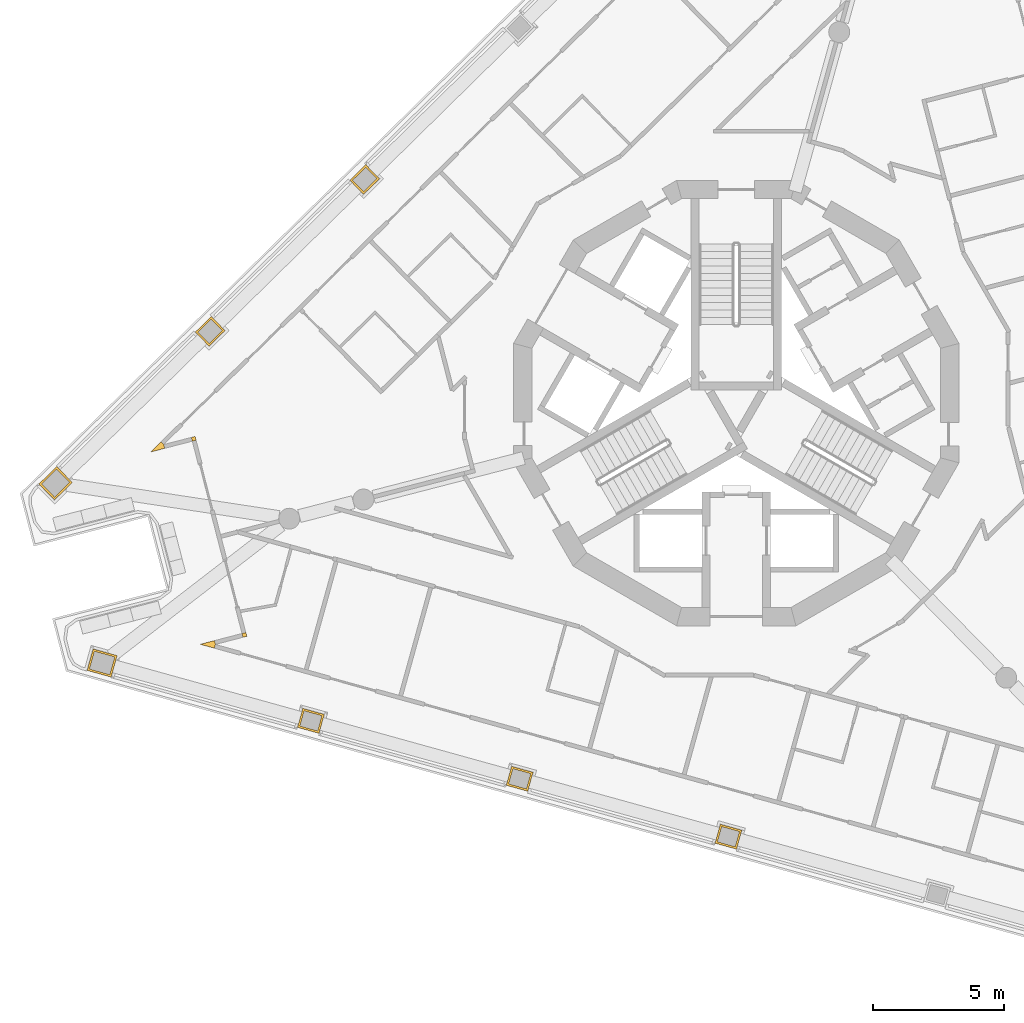
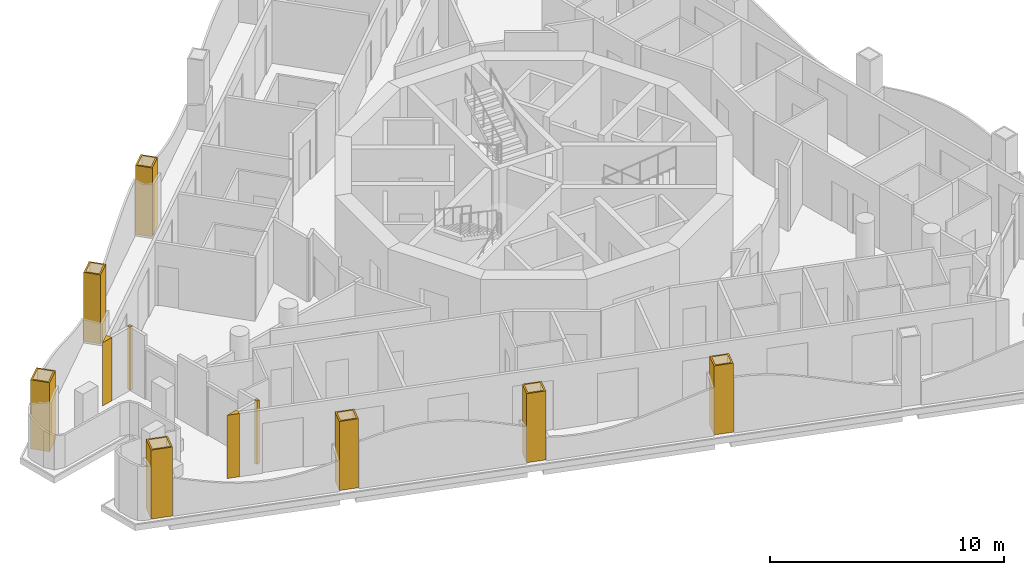
# One storey, part 9 of 14: 11 coverings.
"""IFC4 building model written with IfcOpenShell, lengths in metres."""

from ifc_helpers import new_model, si_unit, direction, frame, origin, place, context, subcontext, project, spatial, polyline, outline, extrude, material, layer, layer_set, type_object, element, save


model = new_model("IFC4")

# Units and contexts
model_context = context("Model", 3, precision=1e-05, world=origin(), true_north=direction((0.0, 1.0)))
body_context = subcontext(model_context, "Body", "Model", "MODEL_VIEW")
ifc_project = project(units=[si_unit("LENGTHUNIT", "METRE"), si_unit("AREAUNIT", "SQUARE_METRE"), si_unit("VOLUMEUNIT", "CUBIC_METRE"), si_unit("PLANEANGLEUNIT", "RADIAN"), si_unit("MASSUNIT", "GRAM", prefix="KILO")], contexts=[model_context])

# Site, building, storey
site_placement = place(None, origin())
site = spatial("IfcSite", under=ifc_project, at=site_placement, CompositionType="ELEMENT")
building_placement = place(site_placement, origin())
building = spatial("IfcBuilding", under=site, at=building_placement, Name="Trine Commons Tower", CompositionType="ELEMENT")
storey_placement = place(building_placement, frame((0.0, 0.0, 249.300048828125)))
storey = spatial("IfcBuildingStorey", under=building, at=storey_placement, Name="L65", CompositionType="ELEMENT", Elevation=249.300048828125)

# Coverings
ifc_material_1 = material(Name="Aluminium-framed insulated wall panel", Category="aluminium")
ifc_layer_1 = layer(ifc_material_1, 0.14990234375)
ifc_layer_set_1 = layer_set([ifc_layer_1], Name="Aluminium-framed insulated wall panel")
covering_type_1 = type_object("IfcCoveringType", Name="Glazing corner post, aluminium", PredefinedType="CLADDING", material=ifc_layer_set_1)
covering_1_placement = place(storey_placement, origin())
element("IfcCovering", 1, at=covering_1_placement, inside=storey, type_object=covering_type_1, Name="Glazing corner post 7-01", PredefinedType="CLADDING", context=body_context, shape_type="SweptSolid", body=[
    extrude(outline(polyline([(58.186279296875, 60.773193359375), (58.14892578125, 60.91845703125), (58.043701171875, 61.025390625), (57.644287109375, 60.63330078125), (58.186279296875, 60.773193359375)])), origin(), (0.0, 0.0, 1.0), 3.300048828125),
])
covering_2_placement = place(storey_placement, origin())
element("IfcCovering", 2, at=covering_2_placement, inside=storey, type_object=covering_type_1, Name="Glazing corner post 7-10", PredefinedType="CLADDING", context=body_context, shape_type="SweptSolid", body=[
    extrude(outline(polyline([(60.081787109375, 53.14501953125), (60.121826171875, 53.28955078125), (60.084228515625, 53.434814453125), (59.542236328125, 53.294677734375), (60.081787109375, 53.14501953125)])), origin(), (0.0, 0.0, 1.0), 3.300048828125),
])
covering_3_placement = place(storey_placement, origin())
element("IfcCovering", 3, at=covering_3_placement, inside=storey, type_object=covering_type_1, Name="Glazing corner post 7-11", PredefinedType="CLADDING", context=body_context, shape_type="SweptSolid", body=[
    extrude(outline(polyline([(61.135498046875, 53.70654296875), (61.135498046875, 53.70654296875), (61.173095703125, 53.561279296875), (61.318115234375, 53.598876953125), (61.28076171875, 53.744140625), (61.135498046875, 53.70654296875)])), origin(), (0.0, 0.0, 1.0), 3.300048828125),
])
covering_4_placement = place(storey_placement, origin())
element("IfcCovering", 4, at=covering_4_placement, inside=storey, type_object=covering_type_1, Name="Glazing corner post 7-12", PredefinedType="CLADDING", context=body_context, shape_type="SweptSolid", body=[
    extrude(outline(polyline([(59.199951171875, 61.1904296875), (59.237548828125, 61.045166015625), (59.3828125, 61.082763671875), (59.34521484375, 61.227783203125), (59.199951171875, 61.1904296875)])), origin(), (0.0, 0.0, 1.0), 3.300048828125),
])
ifc_material_2 = material(Name="Limestone, honed", Category="masonry")
ifc_layer_2 = layer(ifc_material_2, 0.074951171875)
ifc_layer_set_2 = layer_set([ifc_layer_2], Name="Limestone, honed")
covering_type_2 = type_object("IfcCoveringType", Name="Limestone column cladding 75", PredefinedType="CLADDING", material=ifc_layer_set_2)
covering_5_placement = place(storey_placement, origin())
element("IfcCovering", 5, at=covering_5_placement, inside=storey, type_object=covering_type_2, Name="Limestone pier cladding 7-03", PredefinedType="CLADDING", context=body_context, shape_type="SweptSolid", body=[
    extrude(outline(polyline([(79.3916015625, 46.42529296875), (79.19091796875, 45.70263671875), (80.010009765625, 45.4755859375), (80.210693359375, 46.1982421875), (79.3916015625, 46.42529296875)]), holes=[polyline([(79.443603515625, 46.3330078125), (79.283447265625, 45.7548828125), (79.9580078125, 45.56787109375), (80.1181640625, 46.14599609375), (79.443603515625, 46.3330078125)])]), origin(), (0.0, 0.0, 1.0), 3.599853515625),
])
covering_6_placement = place(storey_placement, origin())
element("IfcCovering", 6, at=covering_6_placement, inside=storey, type_object=covering_type_2, Name="Limestone pier cladding 7-04", PredefinedType="CLADDING", context=body_context, shape_type="SweptSolid", body=[
    extrude(outline(polyline([(71.423583984375, 48.635009765625), (71.222900390625, 47.912353515625), (72.0419921875, 47.685302734375), (72.24267578125, 48.407958984375), (71.423583984375, 48.635009765625)]), holes=[polyline([(71.4755859375, 48.542724609375), (71.3154296875, 47.964599609375), (71.989990234375, 47.777587890625), (72.150146484375, 48.355712890625), (71.4755859375, 48.542724609375)])]), origin(), (0.0, 0.0, 1.0), 3.599853515625),
])
covering_7_placement = place(storey_placement, origin())
element("IfcCovering", 7, at=covering_7_placement, inside=storey, type_object=covering_type_2, Name="Limestone pier cladding 7-05", PredefinedType="CLADDING", context=body_context, shape_type="SweptSolid", body=[
    extrude(outline(polyline([(63.45556640625, 50.8447265625), (63.2548828125, 50.1220703125), (64.07421875, 49.89501953125), (64.274658203125, 50.61767578125), (63.45556640625, 50.8447265625)]), holes=[polyline([(63.5078125, 50.75244140625), (63.347412109375, 50.17431640625), (64.02197265625, 49.9873046875), (64.18212890625, 50.5654296875), (63.5078125, 50.75244140625)])]), origin(), (0.0, 0.0, 1.0), 3.599853515625),
])
covering_8_placement = place(storey_placement, origin())
element("IfcCovering", 8, at=covering_8_placement, inside=storey, type_object=covering_type_2, Name="Limestone pier cladding 7-06", PredefinedType="CLADDING", context=body_context, shape_type="SweptSolid", body=[
    extrude(outline(polyline([(55.45263671875, 53.115966796875), (55.2255859375, 52.296875), (56.140869140625, 52.04296875), (56.3681640625, 52.862060546875), (55.45263671875, 53.115966796875)]), holes=[polyline([(55.5048828125, 53.023681640625), (55.31787109375, 52.34912109375), (56.088623046875, 52.13525390625), (56.27587890625, 52.809814453125), (55.5048828125, 53.023681640625)])]), origin(), (0.0, 0.0, 1.0), 3.599853515625),
])
covering_9_placement = place(storey_placement, origin())
element("IfcCovering", 9, at=covering_9_placement, inside=storey, type_object=covering_type_2, Name="Limestone pier cladding 7-07", PredefinedType="CLADDING", context=body_context, shape_type="SweptSolid", body=[
    extrude(outline(polyline([(54.65869140625, 59.472412109375), (54.062744140625, 60.078857421875), (53.38525390625, 59.412841796875), (53.98095703125, 58.806640625), (54.65869140625, 59.472412109375)]), holes=[polyline([(54.552490234375, 59.473388671875), (54.06201171875, 59.97265625), (53.4912109375, 59.412109375), (53.98193359375, 58.91259765625), (54.552490234375, 59.473388671875)])]), origin(), (0.0, 0.0, 1.0), 3.599853515625),
])
covering_10_placement = place(storey_placement, origin())
element("IfcCovering", 10, at=covering_10_placement, inside=storey, type_object=covering_type_2, Name="Limestone pier cladding 7-08", PredefinedType="CLADDING", context=body_context, shape_type="SweptSolid", body=[
    extrude(outline(polyline([(60.485595703125, 65.268798828125), (59.959716796875, 65.8037109375), (59.353515625, 65.2080078125), (59.879150390625, 64.6728515625), (60.485595703125, 65.268798828125)]), holes=[polyline([(60.37939453125, 65.26953125), (59.958984375, 65.697509765625), (59.459716796875, 65.20703125), (59.880126953125, 64.779052734375), (60.37939453125, 65.26953125)])]), origin(), (0.0, 0.0, 1.0), 3.599853515625),
])
covering_11_placement = place(storey_placement, origin())
element("IfcCovering", 11, at=covering_11_placement, inside=storey, type_object=covering_type_2, Name="Limestone pier cladding 7-09", PredefinedType="CLADDING", context=body_context, shape_type="SweptSolid", body=[
    extrude(outline(polyline([(66.38330078125, 71.064208984375), (65.857421875, 71.599365234375), (65.251220703125, 71.00341796875), (65.77685546875, 70.468505859375), (66.38330078125, 71.064208984375)]), holes=[polyline([(66.277099609375, 71.065185546875), (65.856689453125, 71.4931640625), (65.357421875, 71.002685546875), (65.77783203125, 70.57470703125), (66.277099609375, 71.065185546875)])]), origin(), (0.0, 0.0, 1.0), 3.599853515625),
])

save(model, "model.ifc")
